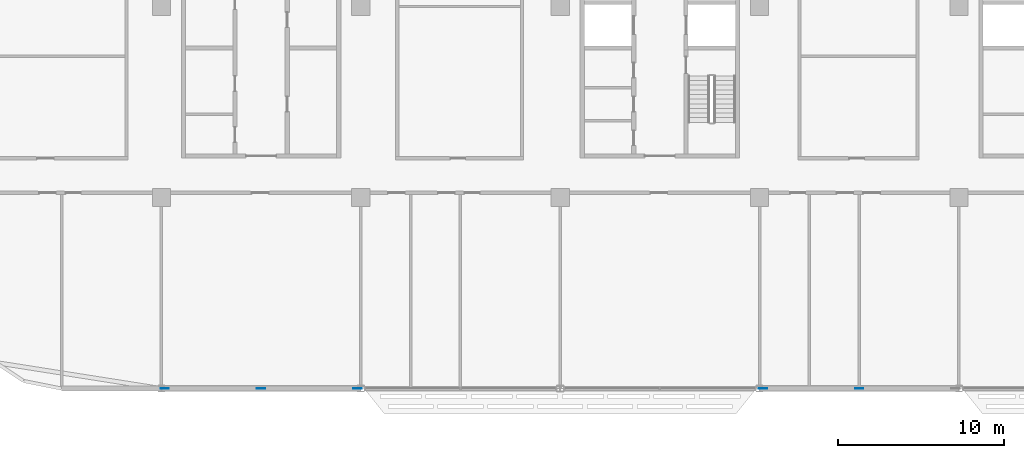
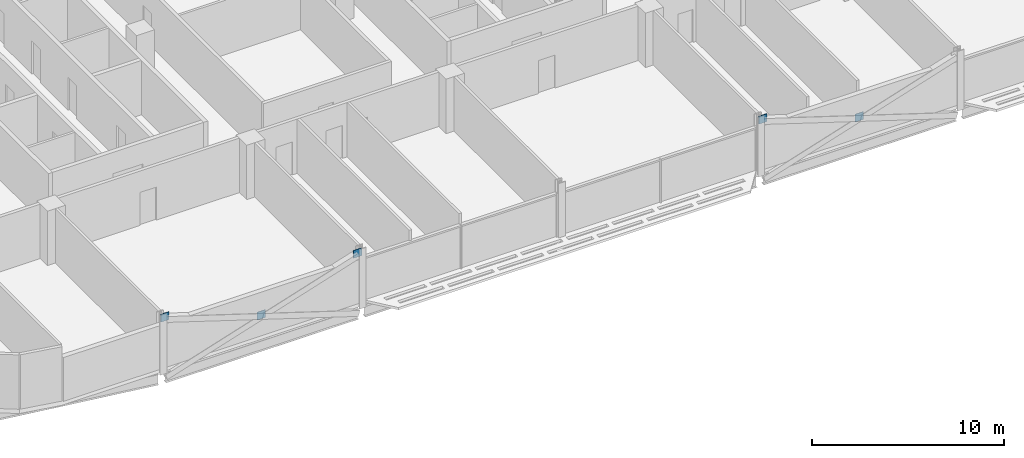
# One storey, part 20 of 30: 5 discrete accessories.
"""IFC4 building model written with IfcOpenShell, lengths in metres."""

from ifc_helpers import new_model, si_unit, direction, frame, origin, origin_2d, place, context, subcontext, project, spatial, rectangle, extrude, material, layer, layer_set, type_object, element, save


model = new_model("IFC4")

# Units and contexts
model_context = context("Model", 3, precision=1e-05, world=origin(), true_north=direction((0.0, 1.0)))
body_context = subcontext(model_context, "Body", "Model", "MODEL_VIEW")
ifc_project = project(units=[si_unit("LENGTHUNIT", "METRE"), si_unit("AREAUNIT", "SQUARE_METRE"), si_unit("VOLUMEUNIT", "CUBIC_METRE"), si_unit("PLANEANGLEUNIT", "RADIAN"), si_unit("MASSUNIT", "GRAM", prefix="KILO")], contexts=[model_context])

# Site, building, storey
site_placement = place(None, origin())
site = spatial("IfcSite", under=ifc_project, at=site_placement, CompositionType="ELEMENT")
building_placement = place(site_placement, origin())
building = spatial("IfcBuilding", under=site, at=building_placement, Name="Mahtab Terrace Research Tower", CompositionType="ELEMENT")
storey_placement = place(building_placement, frame((0.0, 0.0, 212.89990234375)))
storey = spatial("IfcBuildingStorey", under=building, at=storey_placement, Name="L51", CompositionType="ELEMENT", Elevation=212.89990234375)

# Discrete accessories
ifc_material = material(Name="Steel ASTM A992 Gr 50", Category="steel")
ifc_layer = layer(ifc_material, 0.030029296875)
ifc_layer_set = layer_set([ifc_layer], Name="Gusset plate 500x500x30")
discrete_accessory_type = type_object("IfcDiscreteAccessoryType", Name="Gusset plate 500x500x30", PredefinedType="USERDEFINED", material=ifc_layer_set)
for number, where, z_axis, x_axis, name in (
    (1, (-29.79931640625, -23.0, 2.87109375), (0.0, 0.0, 1.0), (1.0, 0.0, 0.0), "Gusset plate"),
    (2, (-24.0, -23.0, 0.970947265625), (0.0, 0.0, 1.0), (1.0, 0.0, 0.0), "Gusset plate"),
    (3, (-18.20068359375, -23.0, 2.87109375), (0.0, 0.0, 1.0), (1.0, 0.0, 0.0), "Gusset plate"),
    (4, (6.20068359375, -23.0, 2.87109375), (0.0, 0.0, 1.0), (1.0, 0.0, 0.0), "Gusset plate"),
    (5, (12.0, -23.0, 0.970947265625), (0.0, 0.0, 1.0), (1.0, 0.0, 0.0), "Gusset plate"),
):
    element("IfcDiscreteAccessory", number, at=place(storey_placement, frame(where, z_axis=z_axis, x_axis=x_axis)), inside=storey, type_object=discrete_accessory_type, Name=name, ObjectType="GUSSET PLATE", PredefinedType="USERDEFINED", context=body_context, shape_type="SweptSolid", body=[
        extrude(rectangle(XDim=0.5, YDim=0.030029296875, at=origin_2d()), origin(), (0.0, 0.0, 1.0), 0.5),
    ])

save(model, "model.ifc")
